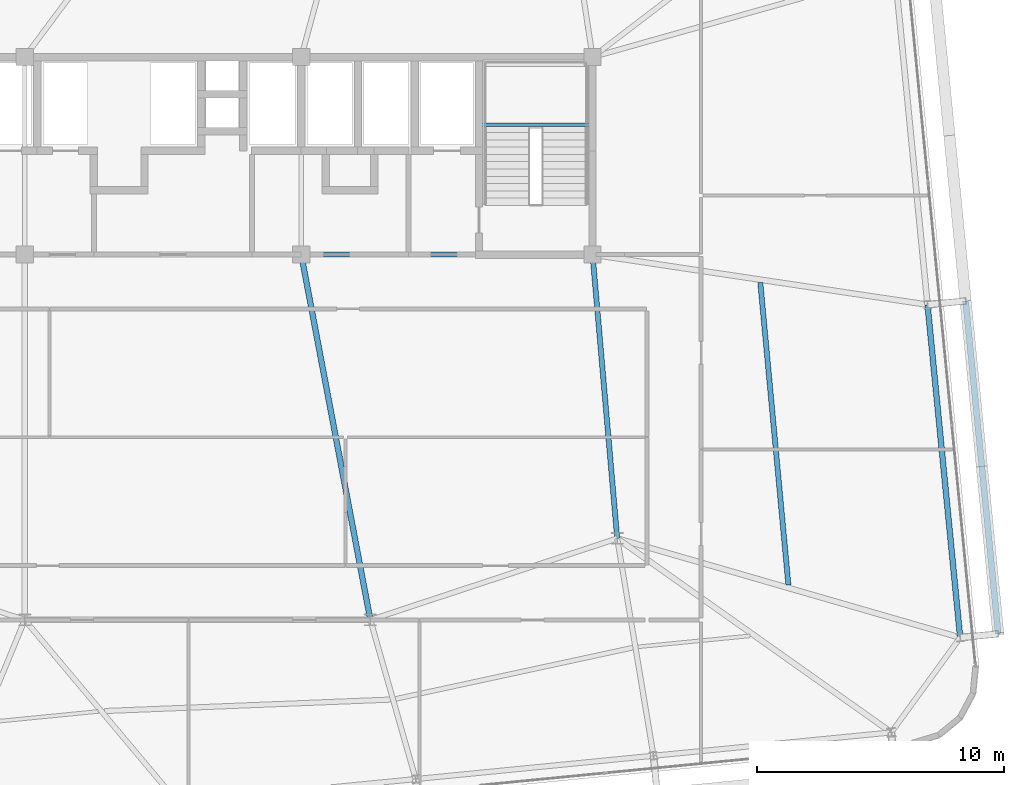
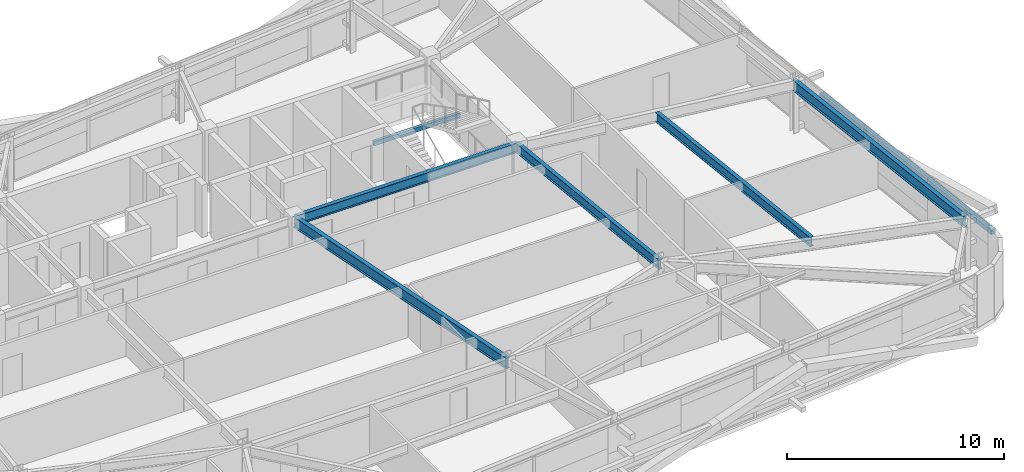
# One storey, part 20 of 47: 6 beams, 1 member.
"""IFC4 building model written with IfcOpenShell, lengths in metres."""

from ifc_helpers import new_model, si_unit, direction, frame, origin, origin_2d, place, context, subcontext, project, spatial, hollow_rectangle, i_section, extrude, source, transform, mapped, material, material_profile, profile_set, type_object, element, save


model = new_model("IFC4")

# Units and contexts
model_context = context("Model", 3, precision=1e-05, world=origin(), true_north=direction((0.0, 1.0)))
body_context = subcontext(model_context, "Body", "Model", "MODEL_VIEW")
ifc_project = project(units=[si_unit("LENGTHUNIT", "METRE"), si_unit("AREAUNIT", "SQUARE_METRE"), si_unit("VOLUMEUNIT", "CUBIC_METRE"), si_unit("PLANEANGLEUNIT", "RADIAN"), si_unit("MASSUNIT", "GRAM", prefix="KILO")], contexts=[model_context])

# Site, building, storey
site_placement = place(None, origin())
site = spatial("IfcSite", under=ifc_project, at=site_placement, CompositionType="ELEMENT")
building_placement = place(site_placement, origin())
building = spatial("IfcBuilding", under=site, at=building_placement, Name="Taldren Reach Tower", CompositionType="ELEMENT")
storey_placement = place(building_placement, frame((0.0, 0.0, 90.300048828125)))
storey = spatial("IfcBuildingStorey", under=building, at=storey_placement, Name="L27", CompositionType="ELEMENT", Elevation=90.300048828125)

# Beams
ifc_material_1 = material(Name="Steel Gr 350 (350PLUS)", Category="steel")
ifc_material_profile_1 = material_profile(ifc_material_1, i_section(OverallWidth=0.208984375, OverallDepth=0.532958984375, WebThickness=0.01025390625, FlangeThickness=0.015625, at=origin_2d()), Name="530UB92.4")
ifc_profile_set_1 = profile_set([ifc_material_profile_1], Name="Steel Gr 350 (350PLUS)")
beam_type_1 = type_object("IfcBeamType", Name="BM-UB530A", PredefinedType="BEAM", material=ifc_profile_set_1)
shared_shape_1 = source(origin(), body_context, "Body", "SweptSolid", [
    extrude(i_section(OverallWidth=0.208984375, OverallDepth=0.532958984375, WebThickness=0.01025390625, FlangeThickness=0.015625, at=origin_2d()), origin(), (0.0, 0.0, 1.0), 11.800048828125),
])
beam_1_placement = place(storey_placement, frame((39.199951171875, 24.0, 2.663330078125), z_axis=(1.0, 0.0, 0.0), x_axis=(0.0, 1.0, 0.0)))
element("IfcBeam", 1, at=beam_1_placement, inside=storey, type_object=beam_type_1, Name="Core-spine girder L27-SP03", PredefinedType="BEAM", context=body_context, shape_type="MappedRepresentation", body=[
    mapped(shared_shape_1, transform((0.0, 0.0, 0.0), scale=1.0)),
])
shared_shape_2 = source(origin(), body_context, "Body", "SweptSolid", [
    extrude(i_section(OverallWidth=0.208984375, OverallDepth=0.532958984375, WebThickness=0.01025390625, FlangeThickness=0.015625, at=origin_2d()), origin(), (0.0, 0.0, 1.0), 11.54345703125),
])
beam_2_placement = place(storey_placement, frame((52.0, 12.5, 2.663330078125), z_axis=(-0.086629616365, 0.996240588196, 0.0), x_axis=(-0.996240588196, -0.086629616365, 0.0)))
element("IfcBeam", 2, at=beam_2_placement, inside=storey, type_object=beam_type_1, Name="Core-spine girder L27-SP13", PredefinedType="BEAM", context=body_context, shape_type="MappedRepresentation", body=[
    mapped(shared_shape_2, transform((0.0, 0.0, 0.0), scale=1.0)),
])
ifc_material_profile_2 = material_profile(ifc_material_1, i_section(OverallWidth=0.22802734375, OverallDepth=0.60205078125, WebThickness=0.010498046875, FlangeThickness=0.014892578125, at=origin_2d()), Name="610UB101")
ifc_profile_set_2 = profile_set([ifc_material_profile_2], Name="Steel Gr 350 (350PLUS)")
beam_type_2 = type_object("IfcBeamType", Name="BM-UB610B", PredefinedType="BEAM", material=ifc_profile_set_2)
shared_shape_3 = source(origin(), body_context, "Body", "SweptSolid", [
    extrude(i_section(OverallWidth=0.22802734375, OverallDepth=0.60205078125, WebThickness=0.010498046875, FlangeThickness=0.014892578125, at=origin_2d()), origin(), (0.0, 0.0, 1.0), 15.0625),
])
beam_3_placement = place(storey_placement, frame((39.199951171875, 24.0, 2.62890625), z_axis=(0.185894205668, -0.982569765614, 0.0), x_axis=(0.982569765614, 0.185894205668, 0.0)))
element("IfcBeam", 3, at=beam_3_placement, inside=storey, type_object=beam_type_2, Name="Core-spine girder L27-SP15", PredefinedType="BEAM", context=body_context, shape_type="MappedRepresentation", body=[
    mapped(shared_shape_3, transform((0.0, 0.0, 0.0), scale=1.0)),
])
shared_shape_4 = source(origin(), body_context, "Body", "SweptSolid", [
    extrude(i_section(OverallWidth=0.22802734375, OverallDepth=0.60205078125, WebThickness=0.010498046875, FlangeThickness=0.014892578125, at=origin_2d()), origin(), (0.0, 0.0, 1.0), 13.550048828125),
])
beam_4_placement = place(storey_placement, frame((65.8916015625, 8.483642578125, 2.62890625), z_axis=(-0.097566175139, 0.995229039703, 0.0), x_axis=(-0.995229039703, -0.097566175139, 0.0)))
element("IfcBeam", 4, at=beam_4_placement, inside=storey, type_object=beam_type_2, Name="Perimeter gable girder B2 E1-E2 L27", PredefinedType="BEAM", context=body_context, shape_type="MappedRepresentation", body=[
    mapped(shared_shape_4, transform((0.0, 0.0, 0.0), scale=1.0)),
])
shared_shape_5 = source(origin(), body_context, "Body", "SweptSolid", [
    extrude(i_section(OverallWidth=0.208984375, OverallDepth=0.532958984375, WebThickness=0.01025390625, FlangeThickness=0.015625, at=origin_2d()), origin(), (0.0, 0.0, 1.0), 12.306396484375),
])
beam_5_placement = place(storey_placement, frame((58.9345703125, 10.61376953125, 2.663330078125), z_axis=(-0.092546068089, 0.995708403741, 0.0), x_axis=(-0.995708403741, -0.092546068089, 0.0)))
element("IfcBeam", 5, at=beam_5_placement, inside=storey, type_object=beam_type_1, Name="Secondary floor beam B2 J7 L27", PredefinedType="BEAM", context=body_context, shape_type="MappedRepresentation", body=[
    mapped(shared_shape_5, transform((0.0, 0.0, 0.0), scale=1.0)),
])

# Member
ifc_material_2 = material(Name="Steel Gr 350 (C350L0)", Category="steel")
ifc_material_profile_3 = material_profile(ifc_material_2, hollow_rectangle(XDim=0.25, YDim=0.25, WallThickness=0.010009765625, at=origin_2d()), Name="250x250x10.0SHS")
ifc_profile_set_3 = profile_set([ifc_material_profile_3], Name="Steel Gr 350 (C350L0)")
member_type = type_object("IfcMemberType", Name="MB-POST250", PredefinedType="POST", material=ifc_profile_set_3)
shared_shape_6 = source(origin(), body_context, "Body", "SweptSolid", [
    extrude(hollow_rectangle(XDim=0.25, YDim=0.25, WallThickness=0.010009765625, at=origin_2d()), origin(), (0.0, 0.0, 1.0), 13.550048828125),
])
member_placement = place(storey_placement, frame((67.434326171875, 8.634765625, 1.43505859375), z_axis=(-0.097584021339, 0.995227290009, 0.0), x_axis=(-0.995227290009, -0.097584021339, 0.0)))
element("IfcMember", 6, at=member_placement, inside=storey, type_object=member_type, Name="Exoskeleton mid-height ring chord B2-E1 L27", PredefinedType="POST", context=body_context, shape_type="MappedRepresentation", body=[
    mapped(shared_shape_6, transform((0.0, 0.0, 0.0), scale=1.0)),
])

# Beam
ifc_material_profile_4 = material_profile(ifc_material_2, hollow_rectangle(XDim=0.14990234375, YDim=0.25, WallThickness=0.009033203125, at=origin_2d()), Name="250x150x9.0RHS")
ifc_profile_set_4 = profile_set([ifc_material_profile_4], Name="Steel Gr 350 (C350L0)")
beam_type_3 = type_object("IfcBeamType", Name="LN-RHS250", PredefinedType="LINTEL", material=ifc_profile_set_4)
shared_shape_7 = source(origin(), body_context, "Body", "SweptSolid", [
    extrude(hollow_rectangle(XDim=0.14990234375, YDim=0.25, WallThickness=0.009033203125, at=origin_2d()), origin(), (0.0, 0.0, 1.0), 4.60009765625),
])
beam_6_placement = place(storey_placement, frame((46.39990234375, 29.2548828125, 1.27001953125), z_axis=(1.0, 0.0, 0.0), x_axis=(0.0, 1.0, 0.0)))
element("IfcBeam", 7, at=beam_6_placement, inside=storey, type_object=beam_type_3, Name="Stair half-landing support beam ST2-L27-1", PredefinedType="LINTEL", context=body_context, shape_type="MappedRepresentation", body=[
    mapped(shared_shape_7, transform((0.0, 0.0, 0.0), scale=1.0)),
])

save(model, "model.ifc")
